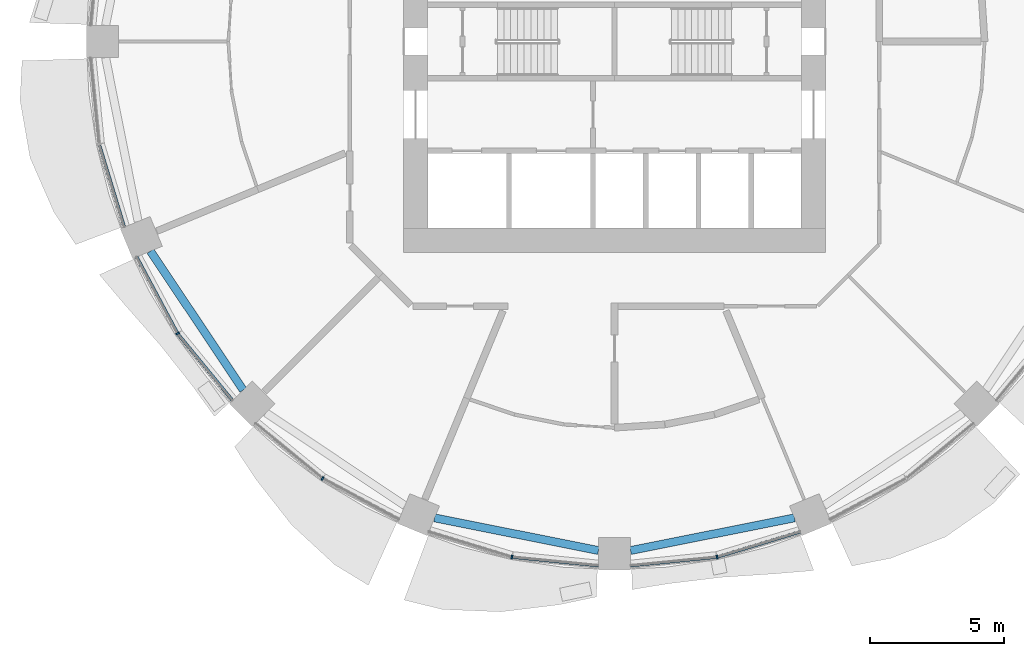
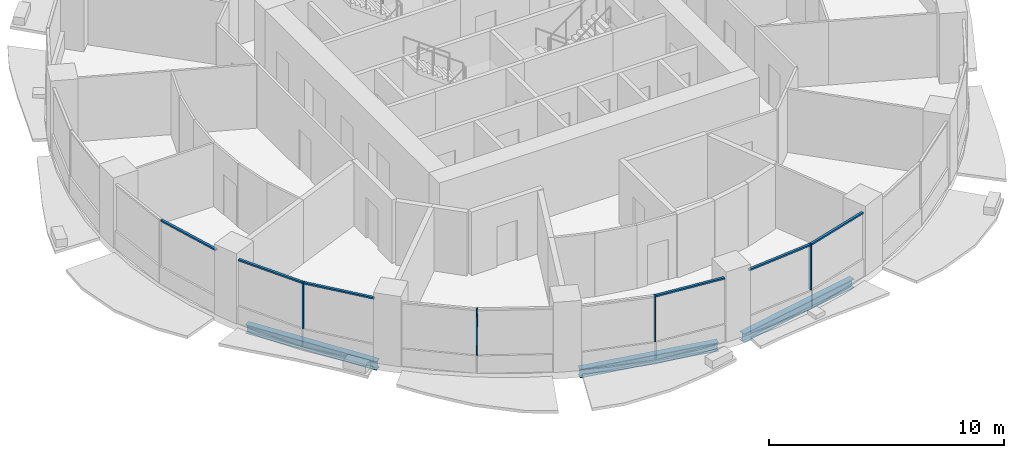
# One storey, part 2 of 15: 10 members, 3 beams, 5 elements without a shape of their own.
"""IFC4 building model written with IfcOpenShell, lengths in metres."""

import ifcopenshell
import ifcopenshell.guid

model = None  # the IFC model being written
_history = None  # IfcOwnerHistory: only IFC2X3 demands one
_inside = {}  # id of a spatial element -> (the spatial element, [elements in it])
_under = {}  # id of a project, library or spatial element -> (it, [spatial elements below it])
_declared = {}  # id of a project -> (the project, [libraries it declares])
_typed = {}  # id of a type object -> (the type object, [elements of that type])
_made_of = {}  # id of a material, layer set ... -> (it, [elements and type objects made of it])


def new_model(schema):
    """Start an empty IFC model of exactly this schema.

    Asked for "IFC4X3", IfcOpenShell would pick the latest addendum, in which some entities
    have other attributes; the version numbers below select the first issue.
    IFC2X3 requires an IfcOwnerHistory on every rooted entity: one is made here for all.
    """
    global model, _history
    if schema == "IFC4X3":
        model = ifcopenshell.file(schema_version=(4, 3, 0, 0))
    else:
        model = ifcopenshell.file(schema=schema)
    _inside.clear()
    _under.clear()
    _declared.clear()
    _typed.clear()
    _made_of.clear()
    _history = None
    if model.schema == "IFC2X3":
        org = make("IfcOrganization", Name="unknown")
        user = make(
            "IfcPersonAndOrganization",
            ThePerson=make("IfcPerson", FamilyName="unknown"),
            TheOrganization=org,
        )
        app = make(
            "IfcApplication",
            ApplicationDeveloper=org,
            Version="unknown",
            ApplicationFullName="unknown",
            ApplicationIdentifier="unknown",
        )
        _history = make(
            "IfcOwnerHistory",
            OwningUser=user,
            OwningApplication=app,
            ChangeAction="ADDED",
            CreationDate=0,
        )
    return model


def make(cls, **values):
    """One entity of the class cls with the attributes given. An attribute that is None is left unset."""
    return model.create_entity(
        cls, **{name: value for name, value in values.items() if value is not None}
    )


def rooted(cls, **values):
    """An entity with a GlobalId (a new one), such as an element, a storey or a relation."""
    return make(cls, GlobalId=ifcopenshell.guid.new(), OwnerHistory=_history, **values)


def si_unit(unit_type, name, prefix=None):
    """IfcSIUnit, for example si_unit("LENGTHUNIT", "METRE", prefix="MILLI")."""
    return make("IfcSIUnit", UnitType=unit_type, Prefix=prefix, Name=name)


def assignment(units):
    """IfcUnitAssignment: the units of a project."""
    return None if units is None else make("IfcUnitAssignment", Units=units)


def point(xyz):
    """IfcCartesianPoint."""
    return None if xyz is None else make("IfcCartesianPoint", Coordinates=xyz)


def direction(xyz):
    """IfcDirection."""
    return None if xyz is None else make("IfcDirection", DirectionRatios=xyz)


def frame(location, z_axis=None, x_axis=None):
    """IfcAxis2Placement3D, a coordinate frame: its origin and axes. An axis left out is left unset."""
    return make(
        "IfcAxis2Placement3D",
        Location=point(location),
        Axis=direction(z_axis),
        RefDirection=direction(x_axis),
    )


def frame_2d(location, x_axis=None):
    """IfcAxis2Placement2D, a coordinate frame in the plane: its origin and x axis."""
    return make(
        "IfcAxis2Placement2D", Location=point(location), RefDirection=direction(x_axis)
    )


def origin():
    """The frame at (0, 0, 0) with its axes left unset."""
    return frame((0.0, 0.0, 0.0))


def origin_2d():
    """The frame at (0, 0) in the plane with its x axis left unset."""
    return frame_2d((0.0, 0.0))


def place(relative_to, where):
    """IfcLocalPlacement: puts the frame where relative to a parent placement (None: the world)."""
    return make(
        "IfcLocalPlacement", PlacementRelTo=relative_to, RelativePlacement=where
    )


def context(
    kind, dimensions, precision=None, world=None, true_north=None, identifier=None
):
    """IfcGeometricRepresentationContext, for example the 3D "Model" context."""
    return make(
        "IfcGeometricRepresentationContext",
        ContextIdentifier=identifier,
        ContextType=kind,
        CoordinateSpaceDimension=dimensions,
        Precision=precision,
        WorldCoordinateSystem=world,
        TrueNorth=true_north,
    )


def subcontext(parent, identifier, kind, view, scale=None):
    """IfcGeometricRepresentationSubContext, for example "Body" below "Model"."""
    return make(
        "IfcGeometricRepresentationSubContext",
        ContextIdentifier=identifier,
        ContextType=kind,
        ParentContext=parent,
        TargetScale=scale,
        TargetView=view,
    )


def project(units=None, contexts=None):
    """IfcProject with its units and contexts."""
    return rooted(
        "IfcProject",
        Name="project",
        RepresentationContexts=contexts,
        UnitsInContext=assignment(units),
    )


def spatial(cls, under=None, at=None, **own):
    """A site, building, storey or space (cls), placed at a placement, below another one or the project."""
    s = rooted(cls, ObjectPlacement=at, **own)
    if under is not None:
        _under.setdefault(under.id(), (under, []))[1].append(s)
    return s


def profile(cls, at=None, kind="AREA", **sizes):
    """A parametric profile (cls). Its sizes go by their IFC names, for example OverallWidth=200.0."""
    return make(cls, ProfileType=kind, Position=at, **sizes)


def rectangle(**sizes):
    """IfcRectangleProfileDef."""
    return profile("IfcRectangleProfileDef", **sizes)


def i_section(**sizes):
    """IfcIShapeProfileDef."""
    return profile("IfcIShapeProfileDef", **sizes)


def extrude(swept, where, along, depth):
    """IfcExtrudedAreaSolid: the profile swept, set in the frame where, extruded along a direction by depth."""
    return make(
        "IfcExtrudedAreaSolid",
        SweptArea=swept,
        Position=where,
        ExtrudedDirection=direction(along),
        Depth=depth,
    )


def shape(context_of_items, identifier, shape_type, items):
    """IfcShapeRepresentation: the items that make up one representation, for example the "Body"."""
    return make(
        "IfcShapeRepresentation",
        ContextOfItems=context_of_items,
        RepresentationIdentifier=identifier,
        RepresentationType=shape_type,
        Items=items,
    )


def material(Name=None, Category=None):
    """IfcMaterial."""
    return make("IfcMaterial", Name=Name, Category=Category)


def material_profile(
    of_material, cross_section, Name=None, Category=None, Priority=None
):
    """IfcMaterialProfile: a cross section and its material."""
    return make(
        "IfcMaterialProfile",
        Name=Name,
        Material=of_material,
        Profile=cross_section,
        Priority=Priority,
        Category=Category,
    )


def profile_set(profiles, Name=None, composite=None):
    """IfcMaterialProfileSet."""
    return make(
        "IfcMaterialProfileSet",
        Name=Name,
        MaterialProfiles=profiles,
        CompositeProfile=composite,
    )


def made_of(thing, what):
    """Note that an element or type object is made of a material, layer set ...; save() writes the relation."""
    if what is not None:
        _made_of.setdefault(what.id(), (what, []))[1].append(thing)
    return thing


def type_object(cls, material=None, **own):
    """A type object (cls), such as IfcWallType, which elements share."""
    return made_of(rooted(cls, **own), material)


def element(
    cls,
    number,
    at=None,
    inside=None,
    cuts=None,
    type_object=None,
    material=None,
    context=None,
    identifier="Body",
    shape_type=None,
    held_by="IfcProductDefinitionShape",
    body=None,
    shapes=None,
    **own,
):
    """One element of the class cls, such as IfcWall. Its Tag is "e" and its number.

    at: its placement. inside: the storey or other place that contains it. cuts: it is an
    opening in that element (IfcRelVoidsElement). A single representation is given by context,
    identifier, shape_type and body (its items); several are given by shapes. held_by: the class
    of the entity that holds the representations. save() writes the other relations.
    """
    e = rooted(cls, Tag="e%d" % number, ObjectPlacement=at, **own)
    if body is not None:
        shapes = [shape(context, identifier, shape_type, body)]
    if shapes is not None:
        e.Representation = make(held_by, Representations=shapes)
    if inside is not None:
        _inside.setdefault(inside.id(), (inside, []))[1].append(e)
    if cuts is not None:
        rooted(
            "IfcRelVoidsElement", RelatingBuildingElement=cuts, RelatedOpeningElement=e
        )
    if type_object is not None:
        _typed.setdefault(type_object.id(), (type_object, []))[1].append(e)
    return made_of(e, material)


def aggregate(whole, parts):
    """IfcRelAggregates: a whole, such as a stair, and the parts it consists of."""
    return rooted("IfcRelAggregates", RelatingObject=whole, RelatedObjects=parts)


def save(model, path):
    """Write the relations noted so far, then the file.

    IfcRelAggregates (storeys below a building ...), IfcRelContainedInSpatialStructure (elements
    in a storey), IfcRelDefinesByType, IfcRelAssociatesMaterial and IfcRelDeclares: one each for
    every whole, place, type object, material and project.
    """
    for whole, parts in _under.values():
        aggregate(whole, parts)
    for where, things in _inside.values():
        rooted(
            "IfcRelContainedInSpatialStructure",
            RelatedElements=things,
            RelatingStructure=where,
        )
    for kind, things in _typed.values():
        rooted("IfcRelDefinesByType", RelatedObjects=things, RelatingType=kind)
    for what, things in _made_of.values():
        rooted("IfcRelAssociatesMaterial", RelatedObjects=things, RelatingMaterial=what)
    for by, libraries in _declared.values():
        rooted("IfcRelDeclares", RelatingContext=by, RelatedDefinitions=libraries)
    model.write(path)


model = new_model("IFC4")

# Units and contexts
model_context = context("Model", 3, precision=1e-05, world=origin(), true_north=direction((0.0, 1.0)))
body_context = subcontext(model_context, "Body", "Model", "MODEL_VIEW")
ifc_project = project(units=[si_unit("LENGTHUNIT", "METRE"), si_unit("AREAUNIT", "SQUARE_METRE"), si_unit("VOLUMEUNIT", "CUBIC_METRE"), si_unit("PLANEANGLEUNIT", "RADIAN"), si_unit("MASSUNIT", "GRAM", prefix="KILO")], contexts=[model_context])

# Site, building, storey
site_placement = place(None, origin())
site = spatial("IfcSite", under=ifc_project, at=site_placement, CompositionType="ELEMENT")
building_placement = place(site_placement, origin())
building = spatial("IfcBuilding", under=site, at=building_placement, Name="Polderwave Tower", CompositionType="ELEMENT")
storey_placement = place(building_placement, frame((0.0, 0.0, 37.14990234375)))
storey = spatial("IfcBuildingStorey", under=building, at=storey_placement, Name="L09", CompositionType="ELEMENT", Elevation=37.14990234375)

# Curtain wall, member
ifc_material_1 = material(Name="Aluminium 6063-T6 and glass", Category="aluminium")
curtain_wall_type = type_object("IfcCurtainWallType", Name="Growing floor ribbon glazing wall", PredefinedType="NOTDEFINED", material=ifc_material_1)
curtain_wall_1_placement = place(storey_placement, origin())
curtain_wall_1 = element("IfcCurtainWall", 1, at=curtain_wall_1_placement, inside=storey, type_object=curtain_wall_type, Name="CW2 L09 09", PredefinedType="NOTDEFINED")
ifc_material_2 = material(Name="Aluminium 6063-T6", Category="aluminium")
ifc_material_profile_1 = material_profile(ifc_material_2, rectangle(XDim=0.14990234375, YDim=0.06005859375, at=origin_2d()), Name="AL 60x150")
ifc_profile_set_1 = profile_set([ifc_material_profile_1], Name="Aluminium 6063-T6")
member_type_1 = type_object("IfcMemberType", Name="Growing floor ribbon glazing mullion 60x150", PredefinedType="MULLION", material=ifc_profile_set_1)
member_1_placement = place(storey_placement, frame((-16.304931640625, -10.89501953125, 0.900146484375), z_axis=(0.0, 0.0, 1.0), x_axis=(0.831468642648, 0.555571684207, 0.0)))
member_1 = element("IfcMember", 2, at=member_1_placement, type_object=member_type_1, Name="CW2 mullion 1", PredefinedType="MULLION", context=body_context, shape_type="SweptSolid", body=[
    extrude(rectangle(XDim=0.14990234375, YDim=0.06005859375, at=origin_2d()), origin(), (0.0, 0.0, 1.0), 2.39990234375),
])

curtain_wall_2_placement = place(storey_placement, origin())
curtain_wall_2 = element("IfcCurtainWall", 3, at=curtain_wall_2_placement, inside=storey, type_object=curtain_wall_type, Name="CW2 L09 10", PredefinedType="NOTDEFINED")
member_2_placement = place(storey_placement, frame((-10.89501953125, -16.304931640625, 0.900146484375), z_axis=(0.0, 0.0, 1.0), x_axis=(0.555571684207, 0.831468642648, 0.0)))
member_2 = element("IfcMember", 4, at=member_2_placement, type_object=member_type_1, Name="CW2 mullion 1", PredefinedType="MULLION", context=body_context, shape_type="SweptSolid", body=[
    extrude(rectangle(XDim=0.14990234375, YDim=0.06005859375, at=origin_2d()), origin(), (0.0, 0.0, 1.0), 2.39990234375),
])
aggregate(curtain_wall_2, [member_2])

curtain_wall_3_placement = place(storey_placement, origin())
curtain_wall_3 = element("IfcCurtainWall", 5, at=curtain_wall_3_placement, inside=storey, type_object=curtain_wall_type, Name="CW2 L09 11", PredefinedType="NOTDEFINED")
member_3_placement = place(storey_placement, frame((-3.825927734375, -19.23291015625, 0.900146484375), z_axis=(0.0, 0.0, 1.0), x_axis=(0.195177622698, 0.980767911179, 0.0)))
member_3 = element("IfcMember", 6, at=member_3_placement, type_object=member_type_1, Name="CW2 mullion 1", PredefinedType="MULLION", context=body_context, shape_type="SweptSolid", body=[
    extrude(rectangle(XDim=0.14990234375, YDim=0.06005859375, at=origin_2d()), origin(), (0.0, 0.0, 1.0), 2.39990234375),
])

curtain_wall_4_placement = place(storey_placement, origin())
curtain_wall_4 = element("IfcCurtainWall", 7, at=curtain_wall_4_placement, inside=storey, type_object=curtain_wall_type, Name="CW2 L09 12", PredefinedType="NOTDEFINED")
member_4_placement = place(storey_placement, frame((3.825927734375, -19.23291015625, 0.900146484375), z_axis=(0.0, 0.0, 1.0), x_axis=(-0.195177622698, 0.980767911179, 0.0)))
member_4 = element("IfcMember", 8, at=member_4_placement, type_object=member_type_1, Name="CW2 mullion 1", PredefinedType="MULLION", context=body_context, shape_type="SweptSolid", body=[
    extrude(rectangle(XDim=0.14990234375, YDim=0.06005859375, at=origin_2d()), origin(), (0.0, 0.0, 1.0), 2.39990234375),
])

curtain_wall_5_placement = place(storey_placement, origin())
curtain_wall_5 = element("IfcCurtainWall", 9, at=curtain_wall_5_placement, inside=storey, type_object=curtain_wall_type, Name="CW2 L09 08", PredefinedType="NOTDEFINED")
ifc_material_profile_2 = material_profile(ifc_material_2, rectangle(XDim=0.1201171875, YDim=0.080078125, at=origin_2d()), Name="AL 80x120")
ifc_profile_set_2 = profile_set([ifc_material_profile_2], Name="Aluminium 6063-T6")
member_type_2 = type_object("IfcMemberType", Name="Growing floor ribbon glazing transom 80x120", PredefinedType="USERDEFINED", material=ifc_profile_set_2)
member_5_placement = place(storey_placement, frame((-19.224365234375, -3.854736328125, 3.260009765625), z_axis=(0.290402031143, -0.956904728961, 0.0), x_axis=(0.956904728961, 0.290402031143, 0.0)))
member_5 = element("IfcMember", 10, at=member_5_placement, type_object=member_type_2, Name="CW2 transom 2", ObjectType="TRANSOM", PredefinedType="USERDEFINED", context=body_context, shape_type="SweptSolid", body=[
    extrude(rectangle(XDim=0.1201171875, YDim=0.080078125, at=origin_2d()), origin(), (0.0, 0.0, 1.0), 3.210693359375),
])
aggregate(curtain_wall_5, [member_5])

# Member
member_6_placement = place(storey_placement, frame((-17.8330078125, -8.035888671875, 3.260009765625), z_axis=(0.471373193578, -0.881933848072, 0.0), x_axis=(0.881933848072, 0.471373193578, 0.0)))
member_6 = element("IfcMember", 11, at=member_6_placement, type_object=member_type_2, Name="CW2 transom 1", ObjectType="TRANSOM", PredefinedType="USERDEFINED", context=body_context, shape_type="SweptSolid", body=[
    extrude(rectangle(XDim=0.1201171875, YDim=0.080078125, at=origin_2d()), origin(), (0.0, 0.0, 1.0), 3.211669921875),
])

member_7_placement = place(storey_placement, frame((-16.285888671875, -10.918212890625, 3.260009765625), z_axis=(0.634429639074, -0.772980616228, 0.0), x_axis=(0.772980616228, 0.634429639074, 0.0)))
member_7 = element("IfcMember", 12, at=member_7_placement, type_object=member_type_2, Name="CW2 transom 2", ObjectType="TRANSOM", PredefinedType="USERDEFINED", context=body_context, shape_type="SweptSolid", body=[
    extrude(rectangle(XDim=0.1201171875, YDim=0.080078125, at=origin_2d()), origin(), (0.0, 0.0, 1.0), 3.21044921875),
])

aggregate(curtain_wall_1, [member_1, member_6, member_7])

member_8_placement = place(storey_placement, frame((-3.796142578125, -19.23583984375, 3.260009765625), z_axis=(0.99517249074, -0.098141294442, 0.0), x_axis=(0.098141294442, 0.99517249074, 0.0)))
member_8 = element("IfcMember", 13, at=member_8_placement, type_object=member_type_2, Name="CW2 transom 2", ObjectType="TRANSOM", PredefinedType="USERDEFINED", context=body_context, shape_type="SweptSolid", body=[
    extrude(rectangle(XDim=0.1201171875, YDim=0.080078125, at=origin_2d()), origin(), (0.0, 0.0, 1.0), 3.211669921875),
])

aggregate(curtain_wall_3, [member_3, member_8])

member_9_placement = place(storey_placement, frame((0.60009765625, -19.551025390625, 3.260009765625), z_axis=(0.99517249074, 0.098141294442, 0.0), x_axis=(-0.098141294442, 0.99517249074, 0.0)))
member_9 = element("IfcMember", 14, at=member_9_placement, type_object=member_type_2, Name="CW2 transom 1", ObjectType="TRANSOM", PredefinedType="USERDEFINED", context=body_context, shape_type="SweptSolid", body=[
    extrude(rectangle(XDim=0.1201171875, YDim=0.080078125, at=origin_2d()), origin(), (0.0, 0.0, 1.0), 3.211669921875),
])

member_10_placement = place(storey_placement, frame((3.854736328125, -19.224365234375, 3.260009765625), z_axis=(0.956904728961, 0.290402031143, 0.0), x_axis=(-0.290402031143, 0.956904728961, 0.0)))
member_10 = element("IfcMember", 15, at=member_10_placement, type_object=member_type_2, Name="CW2 transom 2", ObjectType="TRANSOM", PredefinedType="USERDEFINED", context=body_context, shape_type="SweptSolid", body=[
    extrude(rectangle(XDim=0.1201171875, YDim=0.080078125, at=origin_2d()), origin(), (0.0, 0.0, 1.0), 3.210693359375),
])

aggregate(curtain_wall_4, [member_4, member_9, member_10])

# Beams
ifc_material_3 = material(Name="Steel S355", Category="steel")
ifc_material_profile_3 = material_profile(ifc_material_3, i_section(OverallWidth=0.300048828125, OverallDepth=0.449951171875, WebThickness=0.013916015625, FlangeThickness=0.02587890625, at=origin_2d()), Name="HE 450 B")
ifc_profile_set_3 = profile_set([ifc_material_profile_3], Name="Steel S355")
beam_type = type_object("IfcBeamType", Name="RING BEAM HE 450 B", PredefinedType="BEAM", material=ifc_profile_set_3)
beam_placement = place(storey_placement, frame((-17.3154296875, -7.82177734375, -0.574951171875), z_axis=(0.555558644, -0.831477355721, 0.0), x_axis=(0.831477355721, 0.555558644, 0.0)))
element("IfcBeam", 16, at=beam_placement, inside=storey, type_object=beam_type, Name="ST-RB-L09-09", PredefinedType="BEAM", context=body_context, shape_type="SweptSolid", body=[
    extrude(i_section(OverallWidth=0.300048828125, OverallDepth=0.449951171875, WebThickness=0.013916015625, FlangeThickness=0.02587890625, at=origin_2d()), origin(), (0.0, 0.0, 1.0), 6.232666015625),
])
for number, where, z_axis, x_axis, name in (
    (17, (-6.713134765625, -17.774658203125, -0.574951171875), (0.980782033233, -0.195106645934, 0.0), (0.195106645934, 0.980782033233, 0.0), "ST-RB-L09-11"),
    (18, (0.60009765625, -18.99072265625, -0.574951171875), (0.980782033233, 0.195106645934, 0.0), (-0.195106645934, 0.980782033233, 0.0), "ST-RB-L09-12"),
):
    element("IfcBeam", number, at=place(storey_placement, frame(where, z_axis=z_axis, x_axis=x_axis)), inside=storey, type_object=beam_type, Name=name, PredefinedType="BEAM", context=body_context, shape_type="SweptSolid", body=[
        extrude(i_section(OverallWidth=0.300048828125, OverallDepth=0.449951171875, WebThickness=0.013916015625, FlangeThickness=0.02587890625, at=origin_2d()), origin(), (0.0, 0.0, 1.0), 6.23291015625),
    ])

save(model, "model.ifc")
